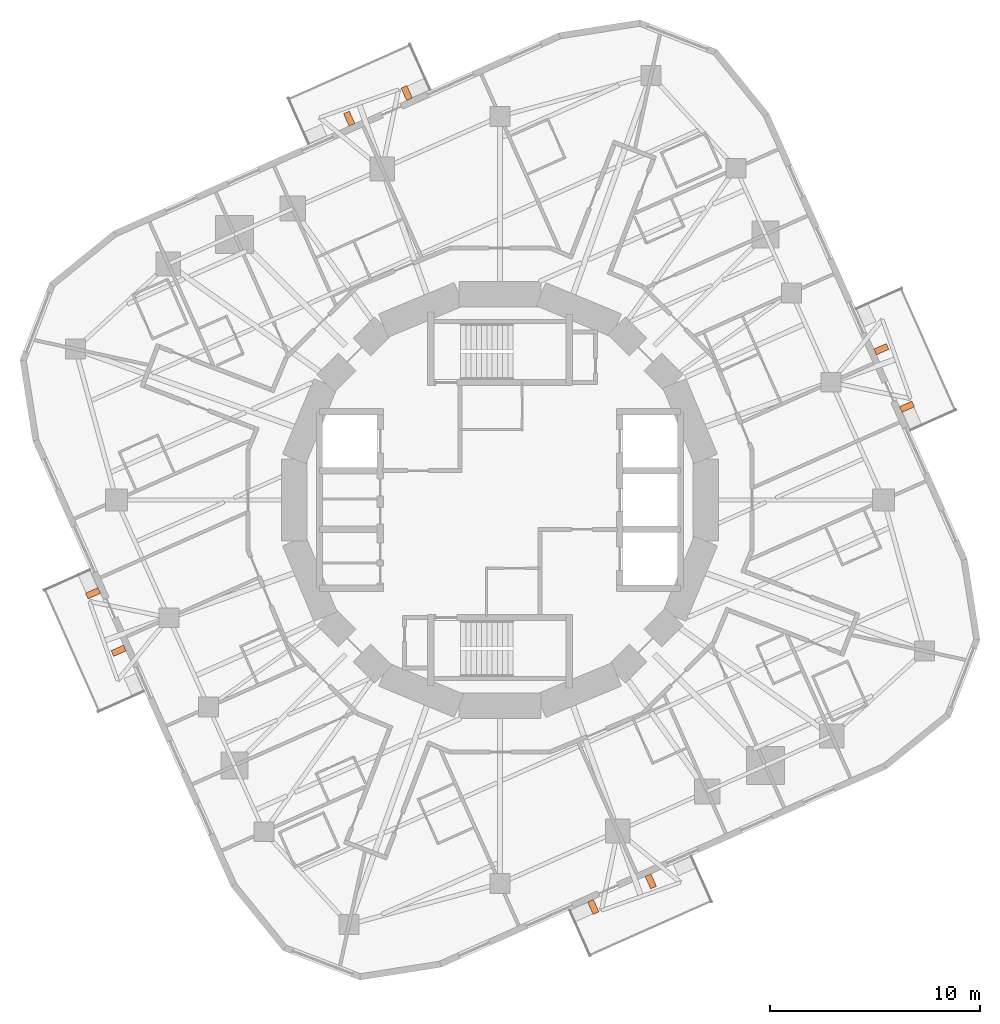
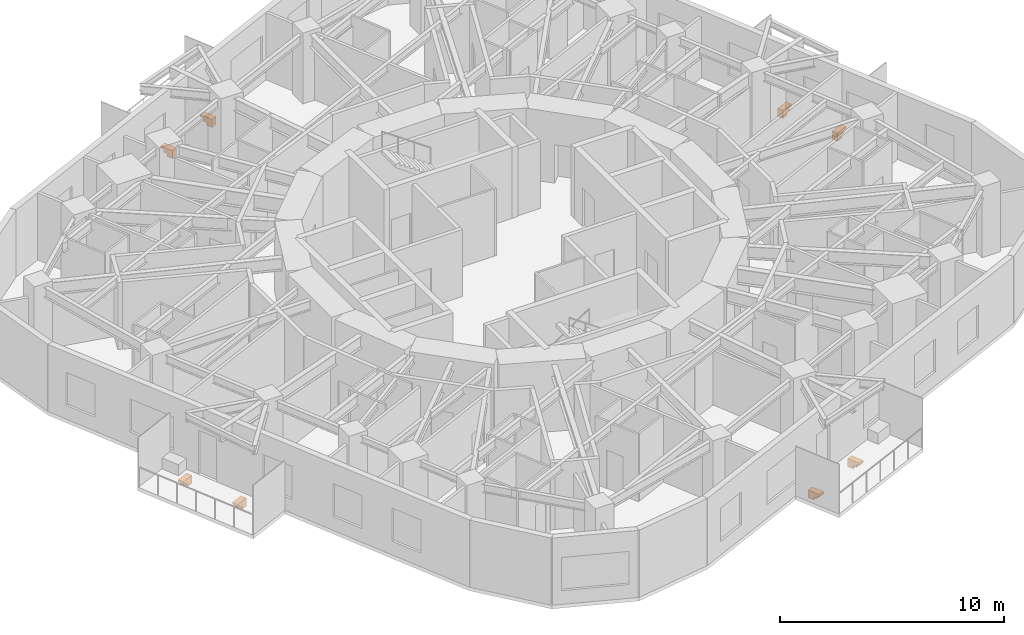
# One storey, part 12 of 12: 8 proxies.
"""IFC4 building model written with IfcOpenShell, lengths in metres."""

from ifc_helpers import new_model, si_unit, direction, frame, origin, place, context, subcontext, project, spatial, polyline, outline, extrude, material, type_object, element, save


model = new_model("IFC4")

# Units and contexts
model_context = context("Model", 3, precision=1e-05, world=origin(), true_north=direction((0.0, 1.0)))
body_context = subcontext(model_context, "Body", "Model", "MODEL_VIEW")
ifc_project = project(units=[si_unit("LENGTHUNIT", "METRE"), si_unit("AREAUNIT", "SQUARE_METRE"), si_unit("VOLUMEUNIT", "CUBIC_METRE"), si_unit("PLANEANGLEUNIT", "RADIAN"), si_unit("MASSUNIT", "GRAM", prefix="KILO")], contexts=[model_context])

# Site, building, storey
site_placement = place(None, origin())
site = spatial("IfcSite", under=ifc_project, at=site_placement, CompositionType="ELEMENT")
building_placement = place(site_placement, origin())
building = spatial("IfcBuilding", under=site, at=building_placement, Name="Nakasero Lantern House", CompositionType="ELEMENT")
storey_placement = place(building_placement, frame((0.0, 0.0, 205.550048828125)))
storey = spatial("IfcBuildingStorey", under=building, at=storey_placement, Name="L50", CompositionType="ELEMENT", Elevation=205.550048828125)

# Proxies
ifc_material = material(Name="Concrete C40/50 precast", Category="concrete")
building_element_proxy_type = type_object("IfcBuildingElementProxyType", Name="Balcony bracket 300", PredefinedType="USERDEFINED", material=ifc_material)
for number, where, z_axis, x_axis, name in (
    (1, (19.097412109375, 4.311767578125, -0.199951171875), (0.0, 0.0, 1.0), (0.913545458, 0.406736643, 0.0), "Balcony bracket L50 0A"),
    (2, (17.877197265625, 7.052490234375, -0.199951171875), (0.0, 0.0, 1.0), (0.913545458, 0.406736643, 0.0), "Balcony bracket L50 0B"),
    (3, (-4.311767578125, 19.097412109375, -0.199951171875), (0.0, 0.0, 1.0), (-0.406736643, 0.913545458, 0.0), "Balcony bracket L50 1A"),
    (4, (-7.052490234375, 17.877197265625, -0.199951171875), (0.0, 0.0, 1.0), (-0.406736643, 0.913545458, 0.0), "Balcony bracket L50 1B"),
    (5, (-19.097412109375, -4.311767578125, -0.199951171875), (0.0, 0.0, 1.0), (-0.913545458, -0.406736643, 0.0), "Balcony bracket L50 2A"),
    (6, (-17.877197265625, -7.052490234375, -0.199951171875), (0.0, 0.0, 1.0), (-0.913545458, -0.406736643, 0.0), "Balcony bracket L50 2B"),
    (7, (4.311767578125, -19.097412109375, -0.199951171875), (0.0, 0.0, 1.0), (0.406736643, -0.913545458, 0.0), "Balcony bracket L50 3A"),
    (8, (7.052490234375, -17.877197265625, -0.199951171875), (0.0, 0.0, 1.0), (0.406736643, -0.913545458, 0.0), "Balcony bracket L50 3B"),
):
    element("IfcBuildingElementProxy", number, at=place(storey_placement, frame(where, z_axis=z_axis, x_axis=x_axis)), inside=storey, type_object=building_element_proxy_type, Name=name, ObjectType="BALCONY BRACKET", PredefinedType="USERDEFINED", context=body_context, shape_type="SweptSolid", body=[
        extrude(outline(polyline([(0.0, 0.0), (0.64990234375, 0.0), (0.64990234375, -0.1201171875), (0.5, -0.1201171875), (0.5, -0.280029296875), (0.300048828125, -0.280029296875), (0.300048828125, -0.43994140625), (0.0, -0.43994140625), (0.0, 0.0)])), frame((0.0, 0.14990234375, 0.0), z_axis=(0.0, -1.0, 0.0), x_axis=(1.0, 0.0, 0.0)), (0.0, 0.0, 1.0), 0.300048828125),
    ])

save(model, "model.ifc")
